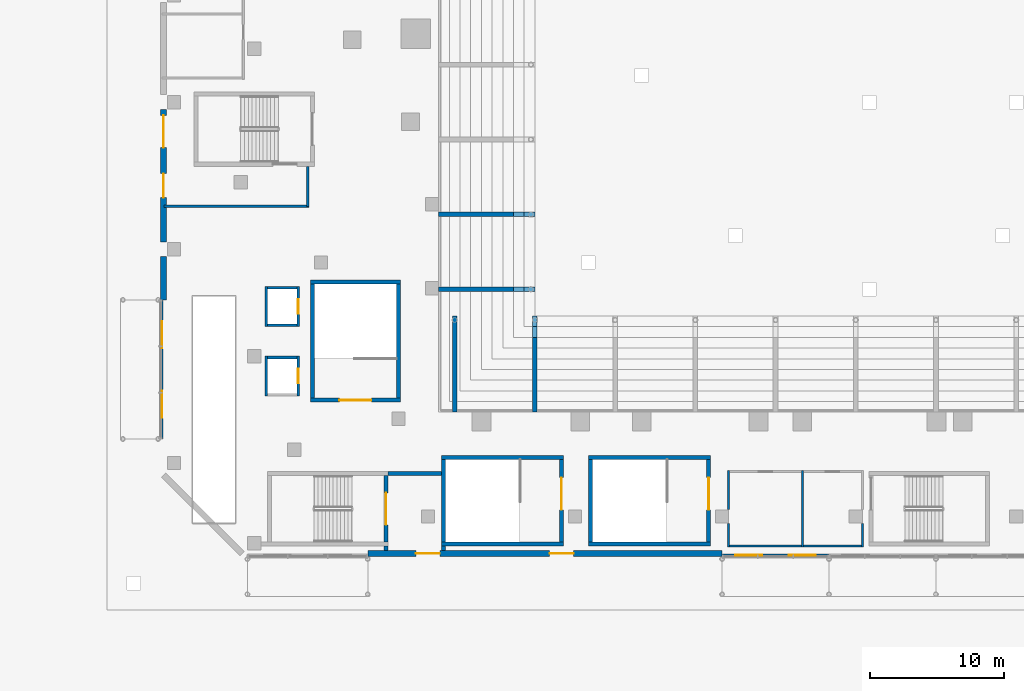
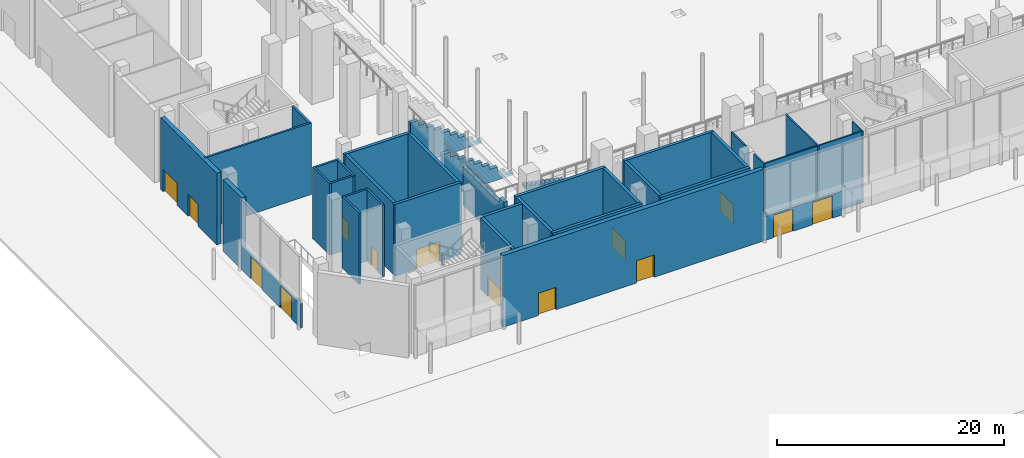
# One storey, part 20 of 41: 40 walls, 14 doors, 14 openings.
"""IFC4 building model written with IfcOpenShell, lengths in metres."""

import ifcopenshell
import ifcopenshell.guid

model = None  # the IFC model being written
_history = None  # IfcOwnerHistory: only IFC2X3 demands one
_inside = {}  # id of a spatial element -> (the spatial element, [elements in it])
_under = {}  # id of a project, library or spatial element -> (it, [spatial elements below it])
_declared = {}  # id of a project -> (the project, [libraries it declares])
_typed = {}  # id of a type object -> (the type object, [elements of that type])
_made_of = {}  # id of a material, layer set ... -> (it, [elements and type objects made of it])


def new_model(schema):
    """Start an empty IFC model of exactly this schema.

    Asked for "IFC4X3", IfcOpenShell would pick the latest addendum, in which some entities
    have other attributes; the version numbers below select the first issue.
    IFC2X3 requires an IfcOwnerHistory on every rooted entity: one is made here for all.
    """
    global model, _history
    if schema == "IFC4X3":
        model = ifcopenshell.file(schema_version=(4, 3, 0, 0))
    else:
        model = ifcopenshell.file(schema=schema)
    _inside.clear()
    _under.clear()
    _declared.clear()
    _typed.clear()
    _made_of.clear()
    _history = None
    if model.schema == "IFC2X3":
        org = make("IfcOrganization", Name="unknown")
        user = make(
            "IfcPersonAndOrganization",
            ThePerson=make("IfcPerson", FamilyName="unknown"),
            TheOrganization=org,
        )
        app = make(
            "IfcApplication",
            ApplicationDeveloper=org,
            Version="unknown",
            ApplicationFullName="unknown",
            ApplicationIdentifier="unknown",
        )
        _history = make(
            "IfcOwnerHistory",
            OwningUser=user,
            OwningApplication=app,
            ChangeAction="ADDED",
            CreationDate=0,
        )
    return model


def make(cls, **values):
    """One entity of the class cls with the attributes given. An attribute that is None is left unset."""
    return model.create_entity(
        cls, **{name: value for name, value in values.items() if value is not None}
    )


def rooted(cls, **values):
    """An entity with a GlobalId (a new one), such as an element, a storey or a relation."""
    return make(cls, GlobalId=ifcopenshell.guid.new(), OwnerHistory=_history, **values)


def si_unit(unit_type, name, prefix=None):
    """IfcSIUnit, for example si_unit("LENGTHUNIT", "METRE", prefix="MILLI")."""
    return make("IfcSIUnit", UnitType=unit_type, Prefix=prefix, Name=name)


def assignment(units):
    """IfcUnitAssignment: the units of a project."""
    return None if units is None else make("IfcUnitAssignment", Units=units)


def point(xyz):
    """IfcCartesianPoint."""
    return None if xyz is None else make("IfcCartesianPoint", Coordinates=xyz)


def direction(xyz):
    """IfcDirection."""
    return None if xyz is None else make("IfcDirection", DirectionRatios=xyz)


def frame(location, z_axis=None, x_axis=None):
    """IfcAxis2Placement3D, a coordinate frame: its origin and axes. An axis left out is left unset."""
    return make(
        "IfcAxis2Placement3D",
        Location=point(location),
        Axis=direction(z_axis),
        RefDirection=direction(x_axis),
    )


def frame_2d(location, x_axis=None):
    """IfcAxis2Placement2D, a coordinate frame in the plane: its origin and x axis."""
    return make(
        "IfcAxis2Placement2D", Location=point(location), RefDirection=direction(x_axis)
    )


def origin():
    """The frame at (0, 0, 0) with its axes left unset."""
    return frame((0.0, 0.0, 0.0))


def place(relative_to, where):
    """IfcLocalPlacement: puts the frame where relative to a parent placement (None: the world)."""
    return make(
        "IfcLocalPlacement", PlacementRelTo=relative_to, RelativePlacement=where
    )


def context(
    kind, dimensions, precision=None, world=None, true_north=None, identifier=None
):
    """IfcGeometricRepresentationContext, for example the 3D "Model" context."""
    return make(
        "IfcGeometricRepresentationContext",
        ContextIdentifier=identifier,
        ContextType=kind,
        CoordinateSpaceDimension=dimensions,
        Precision=precision,
        WorldCoordinateSystem=world,
        TrueNorth=true_north,
    )


def subcontext(parent, identifier, kind, view, scale=None):
    """IfcGeometricRepresentationSubContext, for example "Body" below "Model"."""
    return make(
        "IfcGeometricRepresentationSubContext",
        ContextIdentifier=identifier,
        ContextType=kind,
        ParentContext=parent,
        TargetScale=scale,
        TargetView=view,
    )


def project(units=None, contexts=None):
    """IfcProject with its units and contexts."""
    return rooted(
        "IfcProject",
        Name="project",
        RepresentationContexts=contexts,
        UnitsInContext=assignment(units),
    )


def spatial(cls, under=None, at=None, **own):
    """A site, building, storey or space (cls), placed at a placement, below another one or the project."""
    s = rooted(cls, ObjectPlacement=at, **own)
    if under is not None:
        _under.setdefault(under.id(), (under, []))[1].append(s)
    return s


def polyline(points):
    """IfcPolyline through the points."""
    return make("IfcPolyline", Points=[point(p) for p in points])


def profile(cls, at=None, kind="AREA", **sizes):
    """A parametric profile (cls). Its sizes go by their IFC names, for example OverallWidth=200.0."""
    return make(cls, ProfileType=kind, Position=at, **sizes)


def rectangle(**sizes):
    """IfcRectangleProfileDef."""
    return profile("IfcRectangleProfileDef", **sizes)


def outline(outer, holes=None, kind="AREA"):
    """IfcArbitraryClosedProfileDef: a profile drawn as a closed curve; with holes, ...WithVoids."""
    if holes is None:
        return make("IfcArbitraryClosedProfileDef", ProfileType=kind, OuterCurve=outer)
    return make(
        "IfcArbitraryProfileDefWithVoids",
        ProfileType=kind,
        OuterCurve=outer,
        InnerCurves=holes,
    )


def extrude(swept, where, along, depth):
    """IfcExtrudedAreaSolid: the profile swept, set in the frame where, extruded along a direction by depth."""
    return make(
        "IfcExtrudedAreaSolid",
        SweptArea=swept,
        Position=where,
        ExtrudedDirection=direction(along),
        Depth=depth,
    )


def shape(context_of_items, identifier, shape_type, items):
    """IfcShapeRepresentation: the items that make up one representation, for example the "Body"."""
    return make(
        "IfcShapeRepresentation",
        ContextOfItems=context_of_items,
        RepresentationIdentifier=identifier,
        RepresentationType=shape_type,
        Items=items,
    )


def material(Name=None, Category=None):
    """IfcMaterial."""
    return make("IfcMaterial", Name=Name, Category=Category)


def layer(
    of_material, thickness, ventilated=None, Name=None, Category=None, Priority=None
):
    """IfcMaterialLayer: one layer of a wall or slab, of a material (None: an air gap)."""
    return make(
        "IfcMaterialLayer",
        Material=of_material,
        LayerThickness=thickness,
        IsVentilated=ventilated,
        Name=Name,
        Category=Category,
        Priority=Priority,
    )


def layer_set(layers, Name=None):
    """IfcMaterialLayerSet."""
    return make("IfcMaterialLayerSet", MaterialLayers=layers, LayerSetName=Name)


def made_of(thing, what):
    """Note that an element or type object is made of a material, layer set ...; save() writes the relation."""
    if what is not None:
        _made_of.setdefault(what.id(), (what, []))[1].append(thing)
    return thing


def type_object(cls, material=None, **own):
    """A type object (cls), such as IfcWallType, which elements share."""
    return made_of(rooted(cls, **own), material)


def element(
    cls,
    number,
    at=None,
    inside=None,
    cuts=None,
    type_object=None,
    material=None,
    context=None,
    identifier="Body",
    shape_type=None,
    held_by="IfcProductDefinitionShape",
    body=None,
    shapes=None,
    **own,
):
    """One element of the class cls, such as IfcWall. Its Tag is "e" and its number.

    at: its placement. inside: the storey or other place that contains it. cuts: it is an
    opening in that element (IfcRelVoidsElement). A single representation is given by context,
    identifier, shape_type and body (its items); several are given by shapes. held_by: the class
    of the entity that holds the representations. save() writes the other relations.
    """
    e = rooted(cls, Tag="e%d" % number, ObjectPlacement=at, **own)
    if body is not None:
        shapes = [shape(context, identifier, shape_type, body)]
    if shapes is not None:
        e.Representation = make(held_by, Representations=shapes)
    if inside is not None:
        _inside.setdefault(inside.id(), (inside, []))[1].append(e)
    if cuts is not None:
        rooted(
            "IfcRelVoidsElement", RelatingBuildingElement=cuts, RelatedOpeningElement=e
        )
    if type_object is not None:
        _typed.setdefault(type_object.id(), (type_object, []))[1].append(e)
    return made_of(e, material)


def fill(opening, filler):
    """IfcRelFillsElement: the door or window that sits in an opening."""
    return rooted(
        "IfcRelFillsElement",
        RelatingOpeningElement=opening,
        RelatedBuildingElement=filler,
    )


def aggregate(whole, parts):
    """IfcRelAggregates: a whole, such as a stair, and the parts it consists of."""
    return rooted("IfcRelAggregates", RelatingObject=whole, RelatedObjects=parts)


def save(model, path):
    """Write the relations noted so far, then the file.

    IfcRelAggregates (storeys below a building ...), IfcRelContainedInSpatialStructure (elements
    in a storey), IfcRelDefinesByType, IfcRelAssociatesMaterial and IfcRelDeclares: one each for
    every whole, place, type object, material and project.
    """
    for whole, parts in _under.values():
        aggregate(whole, parts)
    for where, things in _inside.values():
        rooted(
            "IfcRelContainedInSpatialStructure",
            RelatedElements=things,
            RelatingStructure=where,
        )
    for kind, things in _typed.values():
        rooted("IfcRelDefinesByType", RelatedObjects=things, RelatingType=kind)
    for what, things in _made_of.values():
        rooted("IfcRelAssociatesMaterial", RelatedObjects=things, RelatingMaterial=what)
    for by, libraries in _declared.values():
        rooted("IfcRelDeclares", RelatingContext=by, RelatedDefinitions=libraries)
    model.write(path)


model = new_model("IFC4")

# Units and contexts
model_context = context("Model", 3, precision=1e-05, world=origin(), true_north=direction((0.0, 1.0)))
body_context = subcontext(model_context, "Body", "Model", "MODEL_VIEW")
ifc_project = project(units=[si_unit("LENGTHUNIT", "METRE"), si_unit("AREAUNIT", "SQUARE_METRE"), si_unit("VOLUMEUNIT", "CUBIC_METRE"), si_unit("PLANEANGLEUNIT", "RADIAN"), si_unit("MASSUNIT", "GRAM", prefix="KILO")], contexts=[model_context])

# Site, building, storey
site_placement = place(None, origin())
site = spatial("IfcSite", under=ifc_project, at=site_placement, CompositionType="ELEMENT")
building_placement = place(site_placement, origin())
building = spatial("IfcBuilding", under=site, at=building_placement, Name="Wharfspan Tower", CompositionType="ELEMENT")
storey_placement = place(building_placement, origin())
storey = spatial("IfcBuildingStorey", under=building, at=storey_placement, Name="L00", CompositionType="ELEMENT", Elevation=0.0)

# Wall, openings, doors
ifc_material_1 = material(Name="Glass fibre reinforced concrete C40/50", Category="concrete")
ifc_layer_1 = layer(ifc_material_1, 0.199951)
ifc_layer_set_1 = layer_set([ifc_layer_1], Name="Glass fibre reinforced concrete C40/50")
wall_type_1 = type_object("IfcWallType", Name="ENTRANCE INFILL WALL 200", PredefinedType="SOLIDWALL", material=ifc_layer_set_1)
wall_1_placement = place(storey_placement, frame((30.0, -31.899902, 0.0), z_axis=(0.0, 0.0, 1.0), x_axis=(1.0, 0.0, 0.0)))
wall_1 = element("IfcWall", 1, at=wall_1_placement, inside=storey, type_object=wall_type_1, Name="Entrance infill wall", PredefinedType="SOLIDWALL", context=body_context, shape_type="SweptSolid", body=[
    extrude(rectangle(XDim=8.0, YDim=0.199951, at=frame_2d((4.0, 0.0))), origin(), (0.0, 0.0, 1.0), 2.600098),
])
opening_1_placement = place(wall_1_placement, frame((1.0, 0.0, 0.0)))
opening_1 = element("IfcOpeningElement", 2, at=opening_1_placement, cuts=wall_1, Name="Opening ED1", PredefinedType="OPENING", context=body_context, shape_type="SweptSolid", body=[
    extrude(rectangle(XDim=2.0, YDim=2.399902, at=frame_2d((1.0, 1.199951))), frame((0.0, 0.109863, 0.0), z_axis=(0.0, -1.0, 0.0), x_axis=(1.0, 0.0, 0.0)), (0.0, 0.0, 1.0), 0.219971),
])
opening_2_placement = place(wall_1_placement, frame((5.0, 0.0, 0.0)))
opening_2 = element("IfcOpeningElement", 3, at=opening_2_placement, cuts=wall_1, Name="Opening ED1", PredefinedType="OPENING", context=body_context, shape_type="SweptSolid", body=[
    extrude(rectangle(XDim=2.0, YDim=2.399902, at=frame_2d((1.0, 1.199951))), frame((0.0, 0.109863, 0.0), z_axis=(0.0, -1.0, 0.0), x_axis=(1.0, 0.0, 0.0)), (0.0, 0.0, 1.0), 0.219971),
])
ifc_material_2 = material(Name="Aluminium 6063-T6", Category="aluminium")
door_type_1 = type_object("IfcDoorType", Name="ENTRANCE DOOR DOUBLE 2000x2400", OperationType="DOUBLE_DOOR_DOUBLE_SWING", PredefinedType="DOOR", material=ifc_material_2)
door_1_placement = place(opening_1_placement, origin())
door_1 = element("IfcDoor", 4, at=door_1_placement, inside=storey, type_object=door_type_1, Name="Entrance door", OperationType="DOUBLE_DOOR_DOUBLE_SWING", OverallHeight=2.399902, OverallWidth=2.0, PredefinedType="DOOR", context=body_context, shape_type="SweptSolid", body=[
    extrude(rectangle(XDim=2.0, YDim=2.399902, at=frame_2d((1.0, 1.199951))), frame((0.0, 0.024902, 0.0), z_axis=(0.0, -1.0, 0.0), x_axis=(1.0, 0.0, 0.0)), (0.0, 0.0, 1.0), 0.050049),
])
fill(opening_1, door_1)
door_2_placement = place(opening_2_placement, origin())
door_2 = element("IfcDoor", 5, at=door_2_placement, inside=storey, type_object=door_type_1, Name="Entrance door", OperationType="DOUBLE_DOOR_DOUBLE_SWING", OverallHeight=2.399902, OverallWidth=2.0, PredefinedType="DOOR", context=body_context, shape_type="SweptSolid", body=[
    extrude(rectangle(XDim=2.0, YDim=2.399902, at=frame_2d((1.0, 1.199951))), frame((0.0, 0.024902, 0.0), z_axis=(0.0, -1.0, 0.0), x_axis=(1.0, 0.0, 0.0)), (0.0, 0.0, 1.0), 0.050049),
])
fill(opening_2, door_2)

wall_2_placement = place(storey_placement, frame((-11.899902, -12.800049, 0.0), z_axis=(0.0, 0.0, 1.0), x_axis=(0.0, -1.0, 0.0)))
wall_2 = element("IfcWall", 6, at=wall_2_placement, inside=storey, type_object=wall_type_1, Name="Entrance infill wall", PredefinedType="SOLIDWALL", context=body_context, shape_type="SweptSolid", body=[
    extrude(rectangle(XDim=10.399902, YDim=0.199951, at=frame_2d((5.199951, 0.0))), origin(), (0.0, 0.0, 1.0), 2.600098),
])
opening_3_placement = place(wall_2_placement, frame((1.600098, 0.0, 0.0)))
opening_3 = element("IfcOpeningElement", 7, at=opening_3_placement, cuts=wall_2, Name="Opening ED1", PredefinedType="OPENING", context=body_context, shape_type="SweptSolid", body=[
    extrude(rectangle(XDim=2.0, YDim=2.399902, at=frame_2d((1.0, 1.199951))), frame((0.0, 0.109863, 0.0), z_axis=(0.0, -1.0, 0.0), x_axis=(1.0, 0.0, 0.0)), (0.0, 0.0, 1.0), 0.219971),
])
opening_4_placement = place(wall_2_placement, frame((6.800049, 0.0, 0.0)))
opening_4 = element("IfcOpeningElement", 8, at=opening_4_placement, cuts=wall_2, Name="Opening ED1", PredefinedType="OPENING", context=body_context, shape_type="SweptSolid", body=[
    extrude(rectangle(XDim=2.0, YDim=2.399902, at=frame_2d((1.0, 1.199951))), frame((0.0, 0.109863, 0.0), z_axis=(0.0, -1.0, 0.0), x_axis=(1.0, 0.0, 0.0)), (0.0, 0.0, 1.0), 0.219971),
])
door_3_placement = place(opening_3_placement, origin())
door_3 = element("IfcDoor", 9, at=door_3_placement, inside=storey, type_object=door_type_1, Name="Entrance door", OperationType="DOUBLE_DOOR_DOUBLE_SWING", OverallHeight=2.399902, OverallWidth=2.0, PredefinedType="DOOR", context=body_context, shape_type="SweptSolid", body=[
    extrude(rectangle(XDim=2.0, YDim=2.399902, at=frame_2d((1.0, 1.199951))), frame((0.0, 0.024902, 0.0), z_axis=(0.0, -1.0, 0.0), x_axis=(1.0, 0.0, 0.0)), (0.0, 0.0, 1.0), 0.050049),
])
fill(opening_3, door_3)
door_4_placement = place(opening_4_placement, origin())
door_4 = element("IfcDoor", 10, at=door_4_placement, inside=storey, type_object=door_type_1, Name="Entrance door", OperationType="DOUBLE_DOOR_DOUBLE_SWING", OverallHeight=2.399902, OverallWidth=2.0, PredefinedType="DOOR", context=body_context, shape_type="SweptSolid", body=[
    extrude(rectangle(XDim=2.0, YDim=2.399902, at=frame_2d((1.0, 1.199951))), frame((0.0, 0.024902, 0.0), z_axis=(0.0, -1.0, 0.0), x_axis=(1.0, 0.0, 0.0)), (0.0, 0.0, 1.0), 0.050049),
])
fill(opening_4, door_4)

# Walls
ifc_material_3 = material(Name="Calcium silicate masonry", Category="masonry")
ifc_layer_2 = layer(ifc_material_3, 0.149902)
ifc_layer_set_2 = layer_set([ifc_layer_2], Name="Calcium silicate masonry")
wall_type_2 = type_object("IfcWallType", Name="Podium room wall 150", PredefinedType="PARTITIONING", material=ifc_layer_set_2)
wall_3_placement = place(storey_placement, frame((30.574951, -31.199951, 0.0), z_axis=(0.0, 0.0, 1.0), x_axis=(1.0, 0.0, 0.0)))
element("IfcWall", 11, at=wall_3_placement, inside=storey, type_object=wall_type_2, Name="iw:L00:31", PredefinedType="PARTITIONING", context=body_context, shape_type="SweptSolid", body=[
    extrude(rectangle(XDim=5.350098, YDim=0.149902, at=frame_2d((2.675049, 0.0))), origin(), (0.0, 0.0, 1.0), 7.699951),
])
wall_4_placement = place(storey_placement, frame((36.074951, -31.199951, 0.0), z_axis=(0.0, 0.0, 1.0), x_axis=(1.0, 0.0, 0.0)))
element("IfcWall", 12, at=wall_4_placement, inside=storey, type_object=wall_type_2, Name="iw:L00:32", PredefinedType="PARTITIONING", context=body_context, shape_type="SweptSolid", body=[
    extrude(rectangle(XDim=4.350098, YDim=0.149902, at=frame_2d((2.175049, 0.0))), origin(), (0.0, 0.0, 1.0), 7.699951),
])
wall_5_placement = place(storey_placement, frame((36.0, -31.274902, 0.0), z_axis=(0.0, 0.0, 1.0), x_axis=(0.0, 1.0, 0.0)))
element("IfcWall", 13, at=wall_5_placement, inside=storey, type_object=wall_type_2, Name="iw:L00:33", PredefinedType="PARTITIONING", context=body_context, shape_type="SweptSolid", body=[
    extrude(rectangle(XDim=5.699951, YDim=0.149902, at=frame_2d((2.850098, 0.0))), origin(), (0.0, 0.0, 1.0), 7.699951),
])
wall_6_placement = place(storey_placement, frame((30.5, -31.274902, 0.0), z_axis=(0.0, 0.0, 1.0), x_axis=(0.0, 1.0, 0.0)))
element("IfcWall", 14, at=wall_6_placement, inside=storey, type_object=wall_type_2, Name="iw:L00:36", PredefinedType="PARTITIONING", context=body_context, shape_type="SweptSolid", body=[
    extrude(rectangle(XDim=1.764893, YDim=0.149902, at=frame_2d((0.882324, 0.0))), origin(), (0.0, 0.0, 1.0), 7.699951),
])
wall_7_placement = place(storey_placement, frame((30.5, -28.48999, 0.0), z_axis=(0.0, 0.0, 1.0), x_axis=(0.0, 1.0, 0.0)))
element("IfcWall", 15, at=wall_7_placement, inside=storey, type_object=wall_type_2, Name="iw:L00:37", PredefinedType="PARTITIONING", context=body_context, shape_type="SweptSolid", body=[
    extrude(rectangle(XDim=2.915039, YDim=0.149902, at=frame_2d((1.45752, 0.0))), origin(), (0.0, 0.0, 1.0), 7.699951),
])
wall_8_placement = place(storey_placement, frame((40.5, -31.274902, 0.0), z_axis=(0.0, 0.0, 1.0), x_axis=(0.0, 1.0, 0.0)))
element("IfcWall", 16, at=wall_8_placement, inside=storey, type_object=wall_type_2, Name="iw:L00:38", PredefinedType="PARTITIONING", context=body_context, shape_type="SweptSolid", body=[
    extrude(rectangle(XDim=1.764893, YDim=0.149902, at=frame_2d((0.882324, 0.0))), origin(), (0.0, 0.0, 1.0), 7.699951),
])
ifc_material_4 = material(Name="Concrete C30/37", Category="concrete")
ifc_layer_3 = layer(ifc_material_4, 0.199951)
ifc_layer_set_3 = layer_set([ifc_layer_3], Name="Concrete C30/37")
wall_type_3 = type_object("IfcWallType", Name="Podium shaft wall 200", PredefinedType="PARTITIONING", material=ifc_layer_set_3)
wall_9_placement = place(storey_placement, frame((-4.100098, -20.0, 0.0), z_axis=(0.0, 0.0, 1.0), x_axis=(0.0, 1.0, 0.0)))
element("IfcWall", 17, at=wall_9_placement, inside=storey, type_object=wall_type_3, Name="pl:LP1:L00:W", PredefinedType="PARTITIONING", context=body_context, shape_type="SweptSolid", body=[
    extrude(rectangle(XDim=3.0, YDim=0.199951, at=frame_2d((1.5, 0.0))), origin(), (0.0, 0.0, 1.0), 7.699951),
])

# Wall, opening, door
wall_10_placement = place(storey_placement, frame((-1.699951, -20.0, 0.0), z_axis=(0.0, 0.0, 1.0), x_axis=(0.0, 1.0, 0.0)))
wall_10 = element("IfcWall", 18, at=wall_10_placement, inside=storey, type_object=wall_type_3, Name="pl:LP1:L00:E", PredefinedType="PARTITIONING", context=body_context, shape_type="SweptSolid", body=[
    extrude(rectangle(XDim=3.0, YDim=0.199951, at=frame_2d((1.5, 0.0))), origin(), (0.0, 0.0, 1.0), 7.699951),
])
opening_5_placement = place(wall_10_placement, frame((0.949951, 0.0, 0.0)))
opening_5 = element("IfcOpeningElement", 19, at=opening_5_placement, cuts=wall_10, Name="Opening LDP1.L00", PredefinedType="OPENING", context=body_context, shape_type="SweptSolid", body=[
    extrude(rectangle(XDim=1.100098, YDim=2.100098, at=frame_2d((0.550049, 1.050049))), frame((0.0, 0.109863, 0.0), z_axis=(0.0, -1.0, 0.0), x_axis=(1.0, 0.0, 0.0)), (0.0, 0.0, 1.0), 0.219971),
])
ifc_material_5 = material(Name="Stainless steel", Category="steel")
door_type_2 = type_object("IfcDoorType", Name="Podium lift landing door 1100x2100", OperationType="DOUBLE_DOOR_SLIDING", PredefinedType="DOOR", material=ifc_material_5)
door_5_placement = place(opening_5_placement, origin())
door_5 = element("IfcDoor", 20, at=door_5_placement, inside=storey, type_object=door_type_2, Name="Landing door LP1 L00", OperationType="DOUBLE_DOOR_SLIDING", OverallHeight=2.100098, OverallWidth=1.100098, PredefinedType="DOOR", context=body_context, shape_type="SweptSolid", body=[
    extrude(rectangle(XDim=1.100098, YDim=2.100098, at=frame_2d((0.550049, 1.050049))), frame((0.0, 0.024902, 0.0), z_axis=(0.0, -1.0, 0.0), x_axis=(1.0, 0.0, 0.0)), (0.0, 0.0, 1.0), 0.050049),
])
fill(opening_5, door_5)

# Walls
wall_11_placement = place(storey_placement, frame((-4.0, -17.100098, 0.0), z_axis=(0.0, 0.0, 1.0), x_axis=(1.0, 0.0, 0.0)))
element("IfcWall", 21, at=wall_11_placement, inside=storey, type_object=wall_type_3, Name="pl:LP1:L00:N", PredefinedType="PARTITIONING", context=body_context, shape_type="SweptSolid", body=[
    extrude(rectangle(XDim=2.199951, YDim=0.199951, at=frame_2d((1.100098, 0.0))), origin(), (0.0, 0.0, 1.0), 7.699951),
])
wall_12_placement = place(storey_placement, frame((-4.100098, -14.800049, 0.0), z_axis=(0.0, 0.0, 1.0), x_axis=(0.0, 1.0, 0.0)))
element("IfcWall", 22, at=wall_12_placement, inside=storey, type_object=wall_type_3, Name="pl:LP3:L00:W", PredefinedType="PARTITIONING", context=body_context, shape_type="SweptSolid", body=[
    extrude(rectangle(XDim=3.0, YDim=0.199951, at=frame_2d((1.5, 0.0))), origin(), (0.0, 0.0, 1.0), 7.699951),
])

# Wall, opening, door
wall_13_placement = place(storey_placement, frame((-1.699951, -14.800049, 0.0), z_axis=(0.0, 0.0, 1.0), x_axis=(0.0, 1.0, 0.0)))
wall_13 = element("IfcWall", 23, at=wall_13_placement, inside=storey, type_object=wall_type_3, Name="pl:LP3:L00:E", PredefinedType="PARTITIONING", context=body_context, shape_type="SweptSolid", body=[
    extrude(rectangle(XDim=3.0, YDim=0.199951, at=frame_2d((1.5, 0.0))), origin(), (0.0, 0.0, 1.0), 7.699951),
])
opening_6_placement = place(wall_13_placement, frame((0.949951, 0.0, 0.0)))
opening_6 = element("IfcOpeningElement", 24, at=opening_6_placement, cuts=wall_13, Name="Opening LDP3.L00", PredefinedType="OPENING", context=body_context, shape_type="SweptSolid", body=[
    extrude(rectangle(XDim=1.100098, YDim=2.100098, at=frame_2d((0.550049, 1.050049))), frame((0.0, 0.109863, 0.0), z_axis=(0.0, -1.0, 0.0), x_axis=(1.0, 0.0, 0.0)), (0.0, 0.0, 1.0), 0.219971),
])
door_6_placement = place(opening_6_placement, origin())
door_6 = element("IfcDoor", 25, at=door_6_placement, inside=storey, type_object=door_type_2, Name="Landing door LP3 L00", OperationType="DOUBLE_DOOR_SLIDING", OverallHeight=2.100098, OverallWidth=1.100098, PredefinedType="DOOR", context=body_context, shape_type="SweptSolid", body=[
    extrude(rectangle(XDim=1.100098, YDim=2.100098, at=frame_2d((0.550049, 1.050049))), frame((0.0, 0.024902, 0.0), z_axis=(0.0, -1.0, 0.0), x_axis=(1.0, 0.0, 0.0)), (0.0, 0.0, 1.0), 0.050049),
])
fill(opening_6, door_6)

# Walls
for number, where, z_axis, x_axis, name in (
    (26, (-4.0, -14.699951, 0.0), (0.0, 0.0, 1.0), (1.0, 0.0, 0.0), "pl:LP3:L00:S"),
    (27, (-4.0, -11.899902, 0.0), (0.0, 0.0, 1.0), (1.0, 0.0, 0.0), "pl:LP3:L00:N"),
):
    element("IfcWall", number, at=place(storey_placement, frame(where, z_axis=z_axis, x_axis=x_axis)), inside=storey, type_object=wall_type_3, Name=name, PredefinedType="PARTITIONING", context=body_context, shape_type="SweptSolid", body=[
        extrude(rectangle(XDim=2.199951, YDim=0.199951, at=frame_2d((1.100098, 0.0))), origin(), (0.0, 0.0, 1.0), 7.699951),
    ])

# Wall, opening, door
ifc_material_6 = material(Name="Concrete C40/50", Category="concrete")
ifc_layer_4 = layer(ifc_material_6, 0.300049)
ifc_layer_set_4 = layer_set([ifc_layer_4], Name="Concrete C40/50")
wall_type_4 = type_object("IfcWallType", Name="Podium stair core wall 300", PredefinedType="SHEAR", material=ifc_layer_set_4)
wall_14_placement = place(storey_placement, frame((4.850098, -30.899902, 0.0), z_axis=(0.0, 0.0, 1.0), x_axis=(0.0, 1.0, 0.0)))
wall_14 = element("IfcWall", 28, at=wall_14_placement, inside=storey, type_object=wall_type_4, Name="iw:L00:AS1E", PredefinedType="SHEAR", context=body_context, shape_type="SweptSolid", body=[
    extrude(rectangle(XDim=4.949951, YDim=0.300049, at=frame_2d((2.475098, 0.0))), origin(), (0.0, 0.0, 1.0), 7.699951),
])
opening_7_placement = place(wall_14_placement, frame((1.274902, 0.0, 0.0)))
opening_7 = element("IfcOpeningElement", 29, at=opening_7_placement, cuts=wall_14, Name="Opening SDAS1.L00", PredefinedType="OPENING", context=body_context, shape_type="SweptSolid", body=[
    extrude(rectangle(XDim=2.399902, YDim=2.100098, at=frame_2d((1.199951, 1.050049))), frame((0.0, 0.159912, 0.0), z_axis=(0.0, -1.0, 0.0), x_axis=(1.0, 0.0, 0.0)), (0.0, 0.0, 1.0), 0.320068),
])
ifc_material_7 = material(Name="Steel door leaf", Category="steel")
door_type_3 = type_object("IfcDoorType", Name="Podium stair door 2400x2100", OperationType="DOUBLE_DOOR_SINGLE_SWING", PredefinedType="DOOR", material=ifc_material_7)
door_7_placement = place(opening_7_placement, origin())
door_7 = element("IfcDoor", 30, at=door_7_placement, inside=storey, type_object=door_type_3, Name="id:L00:AS1", OperationType="DOUBLE_DOOR_SINGLE_SWING", OverallHeight=2.100098, OverallWidth=2.399902, PredefinedType="DOOR", context=body_context, shape_type="SweptSolid", body=[
    extrude(rectangle(XDim=2.399902, YDim=2.100098, at=frame_2d((1.199951, 1.050049))), frame((0.0, 0.024902, 0.0), z_axis=(0.0, -1.0, 0.0), x_axis=(1.0, 0.0, 0.0)), (0.0, 0.0, 1.0), 0.050049),
])
fill(opening_7, door_7)

# Walls
for number, where, z_axis, x_axis, name in (
    (31, (9.0, -31.050049, 0.0), (0.0, 0.0, 1.0), (1.0, 0.0, 0.0), "iw:L00:SB1S"),
    (32, (9.0, -24.600098, 0.0), (0.0, 0.0, 1.0), (1.0, 0.0, 0.0), "iw:L00:SB1N"),
):
    element("IfcWall", number, at=place(storey_placement, frame(where, z_axis=z_axis, x_axis=x_axis)), inside=storey, type_object=wall_type_4, Name=name, PredefinedType="SHEAR", context=body_context, shape_type="SweptSolid", body=[
        extrude(rectangle(XDim=9.149902, YDim=0.300049, at=frame_2d((4.574951, 0.0))), origin(), (0.0, 0.0, 1.0), 7.699951),
    ])
wall_15_placement = place(storey_placement, frame((9.149902, -30.899902, 0.0), z_axis=(0.0, 0.0, 1.0), x_axis=(0.0, 1.0, 0.0)))
element("IfcWall", 33, at=wall_15_placement, inside=storey, type_object=wall_type_4, Name="iw:L00:SB1W", PredefinedType="SHEAR", context=body_context, shape_type="SweptSolid", body=[
    extrude(rectangle(XDim=6.149902, YDim=0.300049, at=frame_2d((3.074951, 0.0))), origin(), (0.0, 0.0, 1.0), 7.699951),
])

# Wall, opening, door
wall_16_placement = place(storey_placement, frame((18.0, -30.899902, 0.0), z_axis=(0.0, 0.0, 1.0), x_axis=(0.0, 1.0, 0.0)))
wall_16 = element("IfcWall", 34, at=wall_16_placement, inside=storey, type_object=wall_type_4, Name="iw:L00:SB1E", PredefinedType="SHEAR", context=body_context, shape_type="SweptSolid", body=[
    extrude(rectangle(XDim=6.149902, YDim=0.300049, at=frame_2d((3.074951, 0.0))), origin(), (0.0, 0.0, 1.0), 7.699951),
])
opening_8_placement = place(wall_16_placement, frame((2.399902, 0.0, 0.0)))
opening_8 = element("IfcOpeningElement", 35, at=opening_8_placement, cuts=wall_16, Name="Opening SDSB1.L00", PredefinedType="OPENING", context=body_context, shape_type="SweptSolid", body=[
    extrude(rectangle(XDim=2.399902, YDim=2.100098, at=frame_2d((1.199951, 1.050049))), frame((0.0, 0.159912, 0.0), z_axis=(0.0, -1.0, 0.0), x_axis=(1.0, 0.0, 0.0)), (0.0, 0.0, 1.0), 0.320068),
])
door_8_placement = place(opening_8_placement, origin())
door_8 = element("IfcDoor", 36, at=door_8_placement, inside=storey, type_object=door_type_3, Name="id:L00:SB1", OperationType="DOUBLE_DOOR_SINGLE_SWING", OverallHeight=2.100098, OverallWidth=2.399902, PredefinedType="DOOR", context=body_context, shape_type="SweptSolid", body=[
    extrude(rectangle(XDim=2.399902, YDim=2.100098, at=frame_2d((1.199951, 1.050049))), frame((0.0, 0.024902, 0.0), z_axis=(0.0, -1.0, 0.0), x_axis=(1.0, 0.0, 0.0)), (0.0, 0.0, 1.0), 0.050049),
])
fill(opening_8, door_8)

# Walls
for number, where, z_axis, x_axis, name in (
    (37, (20.0, -31.050049, 0.0), (0.0, 0.0, 1.0), (1.0, 0.0, 0.0), "iw:L00:SB2S"),
    (38, (20.0, -24.600098, 0.0), (0.0, 0.0, 1.0), (1.0, 0.0, 0.0), "iw:L00:SB2N"),
):
    element("IfcWall", number, at=place(storey_placement, frame(where, z_axis=z_axis, x_axis=x_axis)), inside=storey, type_object=wall_type_4, Name=name, PredefinedType="SHEAR", context=body_context, shape_type="SweptSolid", body=[
        extrude(rectangle(XDim=9.149902, YDim=0.300049, at=frame_2d((4.574951, 0.0))), origin(), (0.0, 0.0, 1.0), 7.699951),
    ])
wall_17_placement = place(storey_placement, frame((20.149902, -30.899902, 0.0), z_axis=(0.0, 0.0, 1.0), x_axis=(0.0, 1.0, 0.0)))
element("IfcWall", 39, at=wall_17_placement, inside=storey, type_object=wall_type_4, Name="iw:L00:SB2W", PredefinedType="SHEAR", context=body_context, shape_type="SweptSolid", body=[
    extrude(rectangle(XDim=6.149902, YDim=0.300049, at=frame_2d((3.074951, 0.0))), origin(), (0.0, 0.0, 1.0), 7.699951),
])

# Wall, opening, door
wall_18_placement = place(storey_placement, frame((29.0, -30.899902, 0.0), z_axis=(0.0, 0.0, 1.0), x_axis=(0.0, 1.0, 0.0)))
wall_18 = element("IfcWall", 40, at=wall_18_placement, inside=storey, type_object=wall_type_4, Name="iw:L00:SB2E", PredefinedType="SHEAR", context=body_context, shape_type="SweptSolid", body=[
    extrude(rectangle(XDim=6.149902, YDim=0.300049, at=frame_2d((3.074951, 0.0))), origin(), (0.0, 0.0, 1.0), 7.699951),
])
opening_9_placement = place(wall_18_placement, frame((2.399902, 0.0, 0.0)))
opening_9 = element("IfcOpeningElement", 41, at=opening_9_placement, cuts=wall_18, Name="Opening SDSB2.L00", PredefinedType="OPENING", context=body_context, shape_type="SweptSolid", body=[
    extrude(rectangle(XDim=2.399902, YDim=2.100098, at=frame_2d((1.199951, 1.050049))), frame((0.0, 0.159912, 0.0), z_axis=(0.0, -1.0, 0.0), x_axis=(1.0, 0.0, 0.0)), (0.0, 0.0, 1.0), 0.320068),
])
door_9_placement = place(opening_9_placement, origin())
door_9 = element("IfcDoor", 42, at=door_9_placement, inside=storey, type_object=door_type_3, Name="id:L00:SB2", OperationType="DOUBLE_DOOR_SINGLE_SWING", OverallHeight=2.100098, OverallWidth=2.399902, PredefinedType="DOOR", context=body_context, shape_type="SweptSolid", body=[
    extrude(rectangle(XDim=2.399902, YDim=2.100098, at=frame_2d((1.199951, 1.050049))), frame((0.0, 0.024902, 0.0), z_axis=(0.0, -1.0, 0.0), x_axis=(1.0, 0.0, 0.0)), (0.0, 0.0, 1.0), 0.050049),
])
fill(opening_9, door_9)

wall_19_placement = place(storey_placement, frame((-0.800049, -20.300049, 0.0), z_axis=(0.0, 0.0, 1.0), x_axis=(1.0, 0.0, 0.0)))
wall_19 = element("IfcWall", 43, at=wall_19_placement, inside=storey, type_object=wall_type_4, Name="iw:L00:SB6S", PredefinedType="SHEAR", context=body_context, shape_type="SweptSolid", body=[
    extrude(rectangle(XDim=6.75, YDim=0.300049, at=frame_2d((3.375, 0.0))), origin(), (0.0, 0.0, 1.0), 7.699951),
])
opening_10_placement = place(wall_19_placement, frame((2.175049, 0.0, 0.0)))
opening_10 = element("IfcOpeningElement", 44, at=opening_10_placement, cuts=wall_19, Name="Opening SDSB6.L00", PredefinedType="OPENING", context=body_context, shape_type="SweptSolid", body=[
    extrude(rectangle(XDim=2.399902, YDim=2.100098, at=frame_2d((1.199951, 1.050049))), frame((0.0, 0.159912, 0.0), z_axis=(0.0, -1.0, 0.0), x_axis=(1.0, 0.0, 0.0)), (0.0, 0.0, 1.0), 0.320068),
])
door_10_placement = place(opening_10_placement, origin())
door_10 = element("IfcDoor", 45, at=door_10_placement, inside=storey, type_object=door_type_3, Name="id:L00:SB6", OperationType="DOUBLE_DOOR_SINGLE_SWING", OverallHeight=2.100098, OverallWidth=2.399902, PredefinedType="DOOR", context=body_context, shape_type="SweptSolid", body=[
    extrude(rectangle(XDim=2.399902, YDim=2.100098, at=frame_2d((1.199951, 1.050049))), frame((0.0, 0.024902, 0.0), z_axis=(0.0, -1.0, 0.0), x_axis=(1.0, 0.0, 0.0)), (0.0, 0.0, 1.0), 0.050049),
])
fill(opening_10, door_10)

# Walls
wall_20_placement = place(storey_placement, frame((-0.800049, -11.449951, 0.0), z_axis=(0.0, 0.0, 1.0), x_axis=(1.0, 0.0, 0.0)))
element("IfcWall", 46, at=wall_20_placement, inside=storey, type_object=wall_type_4, Name="iw:L00:SB6N", PredefinedType="SHEAR", context=body_context, shape_type="SweptSolid", body=[
    extrude(rectangle(XDim=6.75, YDim=0.300049, at=frame_2d((3.375, 0.0))), origin(), (0.0, 0.0, 1.0), 7.699951),
])
for number, where, z_axis, x_axis, name in (
    (47, (-0.649902, -20.149902, 0.0), (0.0, 0.0, 1.0), (0.0, 1.0, 0.0), "iw:L00:SB6W"),
    (48, (5.800049, -20.149902, 0.0), (0.0, 0.0, 1.0), (0.0, 1.0, 0.0), "iw:L00:SB6E"),
):
    element("IfcWall", number, at=place(storey_placement, frame(where, z_axis=z_axis, x_axis=x_axis)), inside=storey, type_object=wall_type_4, Name=name, PredefinedType="SHEAR", context=body_context, shape_type="SweptSolid", body=[
        extrude(rectangle(XDim=8.549805, YDim=0.300049, at=frame_2d((4.274902, 0.0))), origin(), (0.0, 0.0, 1.0), 7.699951),
    ])
ifc_layer_5 = layer(ifc_material_4, 0.300049)
ifc_layer_set_5 = layer_set([ifc_layer_5], Name="Concrete C30/37")
wall_type_5 = type_object("IfcWallType", Name="Podium stair enclosure wall 300", PredefinedType="PARTITIONING", material=ifc_layer_set_5)
for number, where, z_axis, x_axis, name in (
    (49, (4.850098, -31.550049, 0.0), (0.0, 0.0, 1.0), (0.0, 1.0, 0.0), "iw:L00:XPAS1cl0"),
    (50, (9.149902, -31.550049, 0.0), (0.0, 0.0, 1.0), (0.0, 1.0, 0.0), "iw:L00:XPAS1cl1"),
):
    element("IfcWall", number, at=place(storey_placement, frame(where, z_axis=z_axis, x_axis=x_axis)), inside=storey, type_object=wall_type_5, Name=name, PredefinedType="PARTITIONING", context=body_context, shape_type="SweptSolid", body=[
        extrude(rectangle(XDim=0.350098, YDim=0.300049, at=frame_2d((0.175049, 0.0))), origin(), (0.0, 0.0, 1.0), 7.699951),
    ])
ifc_layer_6 = layer(ifc_material_4, 0.199951)
ifc_layer_set_6 = layer_set([ifc_layer_6], Name="Concrete C30/37")
wall_type_6 = type_object("IfcWallType", Name="Protected corridor wall 200", PredefinedType="PARTITIONING", material=ifc_layer_set_6)
wall_21_placement = place(storey_placement, frame((5.0, -25.800049, 0.0), z_axis=(0.0, 0.0, 1.0), x_axis=(1.0, 0.0, 0.0)))
element("IfcWall", 51, at=wall_21_placement, inside=storey, type_object=wall_type_6, Name="iw:L00:XPAS1cap", PredefinedType="PARTITIONING", context=body_context, shape_type="SweptSolid", body=[
    extrude(rectangle(XDim=4.0, YDim=0.300049, at=frame_2d((2.0, 0.0))), origin(), (0.0, 0.0, 1.0), 7.699951),
])
wall_22_placement = place(storey_placement, frame((-11.75, -5.800049, 0.0), z_axis=(0.0, 0.0, 1.0), x_axis=(1.0, 0.0, 0.0)))
element("IfcWall", 52, at=wall_22_placement, inside=storey, type_object=wall_type_6, Name="iw:L00:XPAS7s", PredefinedType="PARTITIONING", context=body_context, shape_type="SweptSolid", body=[
    extrude(rectangle(XDim=10.850098, YDim=0.199951, at=frame_2d((5.425049, 0.0))), origin(), (0.0, 0.0, 1.0), 7.699951),
])
wall_23_placement = place(storey_placement, frame((-1.0, -5.800049, 0.0), z_axis=(0.0, 0.0, 1.0), x_axis=(0.0, 1.0, 0.0)))
element("IfcWall", 53, at=wall_23_placement, inside=storey, type_object=wall_type_6, Name="iw:L00:XPAS7e", PredefinedType="PARTITIONING", context=body_context, shape_type="SweptSolid", body=[
    extrude(rectangle(XDim=3.0, YDim=0.199951, at=frame_2d((1.5, 0.0))), origin(), (0.0, 0.0, 1.0), 7.699951),
])
ifc_material_8 = material(Name="Concrete C35/45", Category="concrete")
ifc_layer_7 = layer(ifc_material_8, 0.350098)
ifc_layer_set_7 = layer_set([ifc_layer_7], Name="Concrete C35/45")
wall_type_7 = type_object("IfcWallType", Name="Raker wall 350", PredefinedType="SHEAR", material=ifc_layer_set_7)
wall_24_placement = place(storey_placement, frame((10.0, -14.0, 0.0), z_axis=(0.0, 0.0, 1.0), x_axis=(0.0, -1.0, 0.0)))
element("IfcWall", 54, at=wall_24_placement, inside=storey, type_object=wall_type_7, Name="Raker wall", PredefinedType="SHEAR", context=body_context, shape_type="SweptSolid", body=[
    extrude(outline(polyline([(0.0, 0.0), (7.199951, 0.0), (7.199951, 4.699951), (6.399902, 4.699951), (6.399902, 4.149902), (5.600098, 4.149902), (4.800049, 4.149902), (4.0, 4.149902), (3.199951, 4.149902), (2.399902, 4.149902), (1.600098, 4.149902), (0.800049, 4.149902), (0.0, 4.149902), (0.0, 0.0)])), frame((0.0, 0.175049, 0.0), z_axis=(0.0, -1.0, 0.0), x_axis=(1.0, 0.0, 0.0)), (0.0, 0.0, 1.0), 0.350098),
])
for number, where, z_axis, x_axis, name in (
    (55, (16.0, -14.0, 0.0), (0.0, 0.0, 1.0), (0.0, -1.0, 0.0), "Raker wall"),
    (56, (16.0, -12.0, 0.0), (0.0, 0.0, 1.0), (-1.0, 0.0, 0.0), "Raker wall"),
    (57, (16.0, -6.399902, 0.0), (0.0, 0.0, 1.0), (-1.0, 0.0, 0.0), "Raker wall"),
):
    element("IfcWall", number, at=place(storey_placement, frame(where, z_axis=z_axis, x_axis=x_axis)), inside=storey, type_object=wall_type_7, Name=name, PredefinedType="SHEAR", context=body_context, shape_type="SweptSolid", body=[
        extrude(outline(polyline([(0.0, 0.0), (7.199951, 0.0), (7.199951, 4.699951), (6.399902, 4.699951), (6.399902, 4.149902), (5.600098, 4.149902), (5.600098, 3.600098), (4.800049, 3.600098), (4.800049, 3.050049), (4.0, 3.050049), (4.0, 2.5), (3.199951, 2.5), (3.199951, 1.949951), (2.399902, 1.949951), (2.399902, 1.399902), (1.600098, 1.399902), (1.600098, 0.850098), (0.800049, 0.850098), (0.800049, 0.300049), (0.0, 0.300049), (0.0, 0.0)])), frame((0.0, 0.175049, 0.0), z_axis=(0.0, -1.0, 0.0), x_axis=(1.0, 0.0, 0.0)), (0.0, 0.0, 1.0), 0.350098),
    ])

# Wall, openings, doors
ifc_layer_8 = layer(ifc_material_6, 0.449951)
ifc_layer_set_8 = layer_set([ifc_layer_8], Name="Concrete C40/50")
wall_type_8 = type_object("IfcWallType", Name="WALL BOARD-MARKED CONCRETE 450", PredefinedType="SOLIDWALL", material=ifc_layer_set_8)
wall_25_placement = place(storey_placement, frame((3.5, -31.774902, 0.0), z_axis=(0.0, 0.0, 1.0), x_axis=(1.0, 0.0, 0.0)))
wall_25 = element("IfcWall", 58, at=wall_25_placement, inside=storey, type_object=wall_type_8, Name="Podium wall PF1", PredefinedType="SOLIDWALL", context=body_context, shape_type="SweptSolid", body=[
    extrude(rectangle(XDim=26.5, YDim=0.449951, at=frame_2d((13.25, 0.0))), origin(), (0.0, 0.0, 1.0), 7.699951),
])
opening_11_placement = place(wall_25_placement, frame((3.600098, 0.0, 0.0)))
opening_11 = element("IfcOpeningElement", 59, at=opening_11_placement, cuts=wall_25, Name="Opening ED2", PredefinedType="OPENING", context=body_context, shape_type="SweptSolid", body=[
    extrude(rectangle(XDim=1.800049, YDim=2.399902, at=frame_2d((0.899902, 1.199951))), frame((0.0, 0.234863, 0.0), z_axis=(0.0, -1.0, 0.0), x_axis=(1.0, 0.0, 0.0)), (0.0, 0.0, 1.0), 0.469971),
])
opening_12_placement = place(wall_25_placement, frame((13.600098, 0.0, 0.0)))
opening_12 = element("IfcOpeningElement", 60, at=opening_12_placement, cuts=wall_25, Name="Opening ED2", PredefinedType="OPENING", context=body_context, shape_type="SweptSolid", body=[
    extrude(rectangle(XDim=1.800049, YDim=2.399902, at=frame_2d((0.899902, 1.199951))), frame((0.0, 0.234863, 0.0), z_axis=(0.0, -1.0, 0.0), x_axis=(1.0, 0.0, 0.0)), (0.0, 0.0, 1.0), 0.469971),
])
ifc_material_9 = material(Name="Steel S355J2", Category="steel")
door_type_4 = type_object("IfcDoorType", Name="EXIT DOOR DOUBLE 1800x2400", OperationType="DOUBLE_DOOR_DOUBLE_SWING", PredefinedType="DOOR", material=ifc_material_9)
door_11_placement = place(opening_11_placement, origin())
door_11 = element("IfcDoor", 61, at=door_11_placement, inside=storey, type_object=door_type_4, Name="Exit door", OperationType="DOUBLE_DOOR_DOUBLE_SWING", OverallHeight=2.399902, OverallWidth=1.800049, PredefinedType="DOOR", context=body_context, shape_type="SweptSolid", body=[
    extrude(rectangle(XDim=1.800049, YDim=2.399902, at=frame_2d((0.899902, 1.199951))), frame((0.0, 0.024902, 0.0), z_axis=(0.0, -1.0, 0.0), x_axis=(1.0, 0.0, 0.0)), (0.0, 0.0, 1.0), 0.050049),
])
fill(opening_11, door_11)
door_12_placement = place(opening_12_placement, origin())
door_12 = element("IfcDoor", 62, at=door_12_placement, inside=storey, type_object=door_type_4, Name="Exit door", OperationType="DOUBLE_DOOR_DOUBLE_SWING", OverallHeight=2.399902, OverallWidth=1.800049, PredefinedType="DOOR", context=body_context, shape_type="SweptSolid", body=[
    extrude(rectangle(XDim=1.800049, YDim=2.399902, at=frame_2d((0.899902, 1.199951))), frame((0.0, 0.024902, 0.0), z_axis=(0.0, -1.0, 0.0), x_axis=(1.0, 0.0, 0.0)), (0.0, 0.0, 1.0), 0.050049),
])
fill(opening_12, door_12)

wall_26_placement = place(storey_placement, frame((-11.774902, 1.449951, 0.0), z_axis=(0.0, 0.0, 1.0), x_axis=(0.0, -1.0, 0.0)))
wall_26 = element("IfcWall", 63, at=wall_26_placement, inside=storey, type_object=wall_type_8, Name="Podium wall PF12", PredefinedType="SOLIDWALL", context=body_context, shape_type="SweptSolid", body=[
    extrude(rectangle(XDim=9.899902, YDim=0.449951, at=frame_2d((4.949951, 0.0))), origin(), (0.0, 0.0, 1.0), 7.699951),
])
opening_13_placement = place(wall_26_placement, frame((4.800049, 0.0, 0.0)))
opening_13 = element("IfcOpeningElement", 64, at=opening_13_placement, cuts=wall_26, Name="Opening ED2", PredefinedType="OPENING", context=body_context, shape_type="SweptSolid", body=[
    extrude(rectangle(XDim=1.800049, YDim=2.399902, at=frame_2d((0.899902, 1.199951))), frame((0.0, 0.234863, 0.0), z_axis=(0.0, -1.0, 0.0), x_axis=(1.0, 0.0, 0.0)), (0.0, 0.0, 1.0), 0.469971),
])
opening_14_placement = place(wall_26_placement, frame((0.449951, 0.0, 0.0)))
opening_14 = element("IfcOpeningElement", 65, at=opening_14_placement, cuts=wall_26, Name="Opening ED4", PredefinedType="OPENING", context=body_context, shape_type="SweptSolid", body=[
    extrude(rectangle(XDim=2.399902, YDim=2.399902, at=frame_2d((1.199951, 1.199951))), frame((0.0, 0.234863, 0.0), z_axis=(0.0, -1.0, 0.0), x_axis=(1.0, 0.0, 0.0)), (0.0, 0.0, 1.0), 0.469971),
])
door_13_placement = place(opening_13_placement, origin())
door_13 = element("IfcDoor", 66, at=door_13_placement, inside=storey, type_object=door_type_4, Name="Exit door", OperationType="DOUBLE_DOOR_DOUBLE_SWING", OverallHeight=2.399902, OverallWidth=1.800049, PredefinedType="DOOR", context=body_context, shape_type="SweptSolid", body=[
    extrude(rectangle(XDim=1.800049, YDim=2.399902, at=frame_2d((0.899902, 1.199951))), frame((0.0, 0.024902, 0.0), z_axis=(0.0, -1.0, 0.0), x_axis=(1.0, 0.0, 0.0)), (0.0, 0.0, 1.0), 0.050049),
])
fill(opening_13, door_13)
door_type_5 = type_object("IfcDoorType", Name="EXIT DOOR DOUBLE 2400x2400", OperationType="DOUBLE_DOOR_DOUBLE_SWING", PredefinedType="DOOR", material=ifc_material_9)
door_14_placement = place(opening_14_placement, origin())
door_14 = element("IfcDoor", 67, at=door_14_placement, inside=storey, type_object=door_type_5, Name="Exit door", OperationType="DOUBLE_DOOR_DOUBLE_SWING", OverallHeight=2.399902, OverallWidth=2.399902, PredefinedType="DOOR", context=body_context, shape_type="SweptSolid", body=[
    extrude(rectangle(XDim=2.399902, YDim=2.399902, at=frame_2d((1.199951, 1.199951))), frame((0.0, 0.024902, 0.0), z_axis=(0.0, -1.0, 0.0), x_axis=(1.0, 0.0, 0.0)), (0.0, 0.0, 1.0), 0.050049),
])
fill(opening_14, door_14)

# Wall
wall_27_placement = place(storey_placement, frame((-11.774902, -9.550049, 0.0), z_axis=(0.0, 0.0, 1.0), x_axis=(0.0, -1.0, 0.0)))
element("IfcWall", 68, at=wall_27_placement, inside=storey, type_object=wall_type_8, Name="Podium wall PF12", PredefinedType="SOLIDWALL", context=body_context, shape_type="SweptSolid", body=[
    extrude(rectangle(XDim=3.25, YDim=0.449951, at=frame_2d((1.625, 0.0))), origin(), (0.0, 0.0, 1.0), 7.699951),
])

save(model, "model.ifc")
